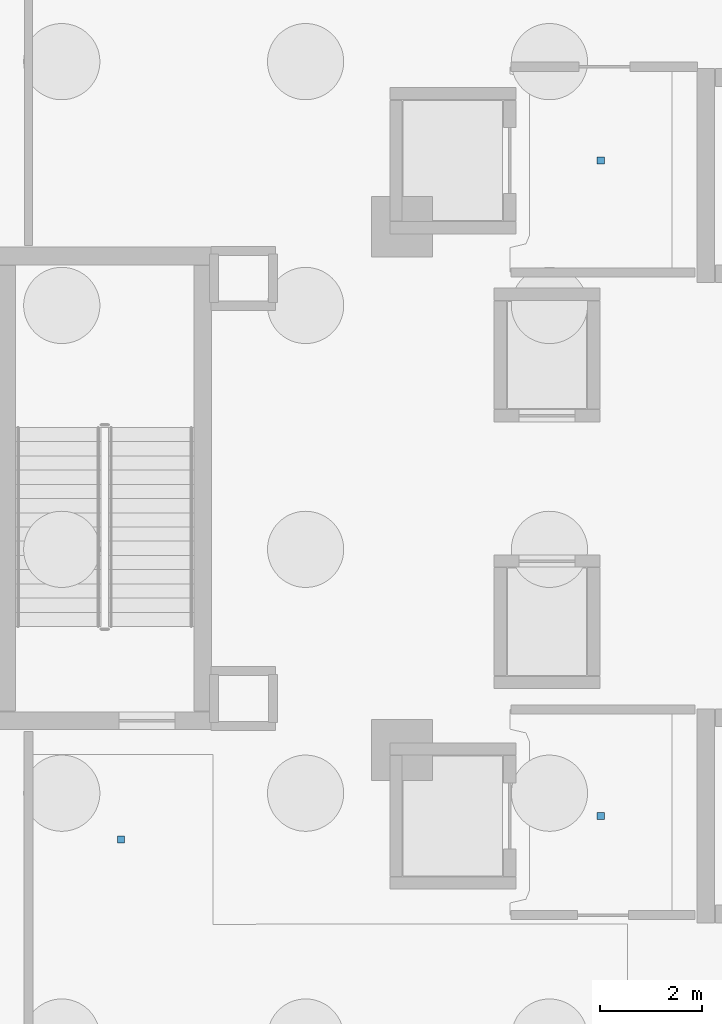
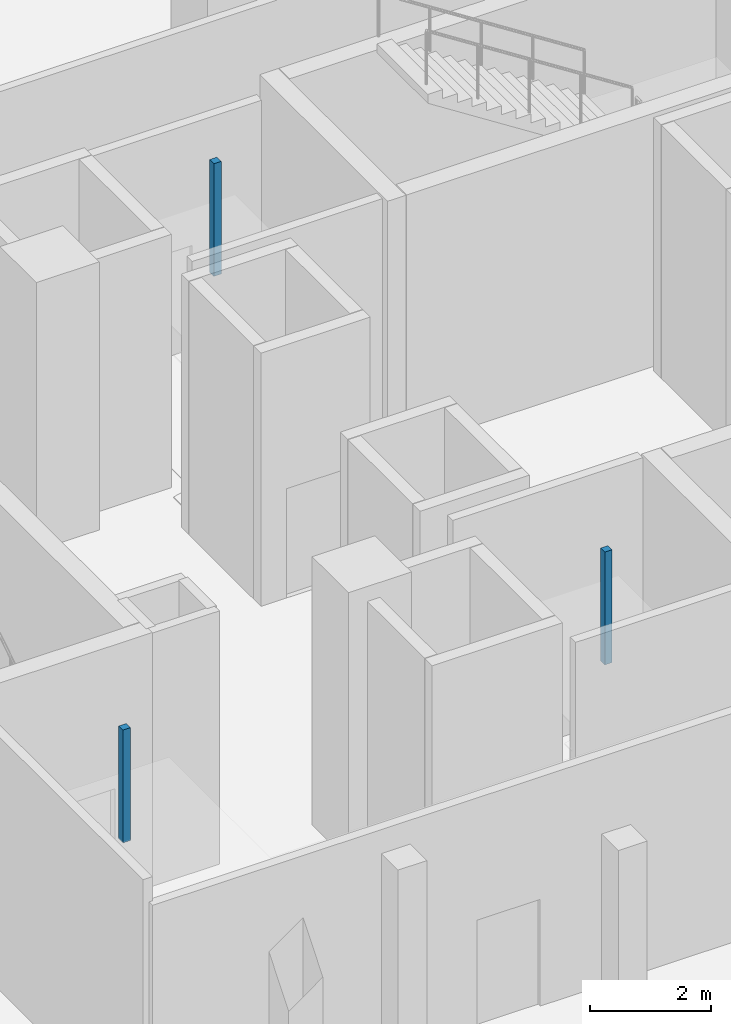
# One storey, part 13 of 22: 3 discrete accessories.
"""IFC4 building model written with IfcOpenShell, lengths in metres."""

from ifc_helpers import new_model, si_unit, direction, frame, origin, origin_2d, place, context, subcontext, project, spatial, rectangle, extrude, material, type_object, element, save


model = new_model("IFC4")

# Units and contexts
model_context = context("Model", 3, precision=1e-05, world=origin(), true_north=direction((0.0, 1.0)))
body_context = subcontext(model_context, "Body", "Model", "MODEL_VIEW")
ifc_project = project(units=[si_unit("LENGTHUNIT", "METRE"), si_unit("AREAUNIT", "SQUARE_METRE"), si_unit("VOLUMEUNIT", "CUBIC_METRE"), si_unit("PLANEANGLEUNIT", "RADIAN"), si_unit("MASSUNIT", "GRAM", prefix="KILO")], contexts=[model_context])

# Site, building, storey
site_placement = place(None, origin())
site = spatial("IfcSite", under=ifc_project, at=site_placement, CompositionType="ELEMENT")
building_placement = place(site_placement, origin())
building = spatial("IfcBuilding", under=site, at=building_placement, Name="Qorvath Tower", CompositionType="ELEMENT")
storey_placement = place(building_placement, frame((0.0, 0.0, -5.39990234375)))
storey = spatial("IfcBuildingStorey", under=building, at=storey_placement, Name="B01", CompositionType="ELEMENT", Elevation=-5.39990234375)

# Discrete accessories
ifc_material = material(Name="Galvanised steel bracket", Category="steel")
discrete_accessory_type = type_object("IfcDiscreteAccessoryType", Name="DA-BRACKET", PredefinedType="BRACKET", material=ifc_material)
for number, where, z_axis, x_axis, name in (
    (1, (-26.590087890625, 6.449951171875, 2.85986328125), (0.0, 0.0, 1.0), (1.0, 0.0, 0.0), "Acoustic Ceiling Suspension Hanger T1-B01-001"),
    (2, (-26.590087890625, -6.449951171875, 2.85986328125), (0.0, 0.0, 1.0), (1.0, 0.0, 0.0), "Acoustic Ceiling Suspension Hanger T1-B01-002"),
    (3, (-36.034912109375, -6.907470703125, 2.85986328125), (0.0, 0.0, 1.0), (1.0, 0.0, 0.0), "Acoustic Ceiling Suspension Hanger T1-B01-003"),
):
    element("IfcDiscreteAccessory", number, at=place(storey_placement, frame(where, z_axis=z_axis, x_axis=x_axis)), inside=storey, type_object=discrete_accessory_type, Name=name, PredefinedType="NOTDEFINED", context=body_context, shape_type="SweptSolid", body=[
        extrude(rectangle(XDim=0.139892578125, YDim=0.139892578125, at=origin_2d()), origin(), (0.0, 0.0, 1.0), 2.27001953125),
    ])

save(model, "model.ifc")
